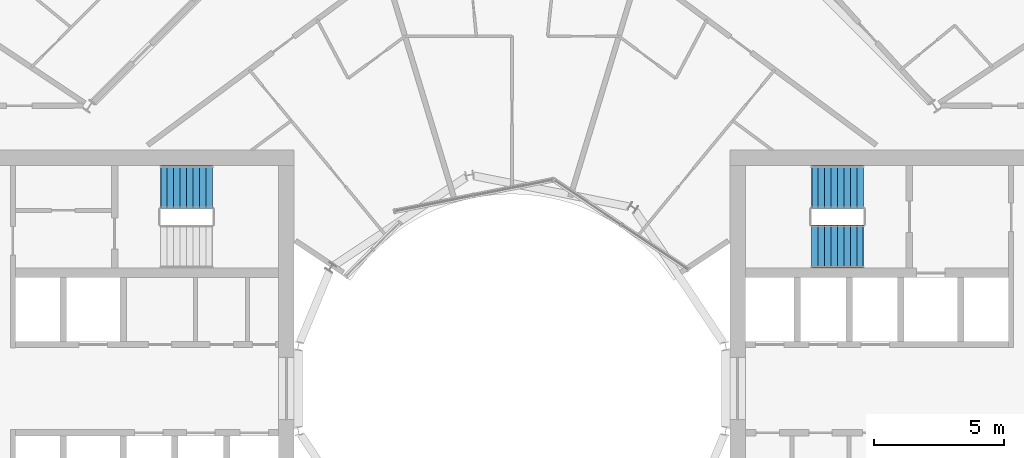
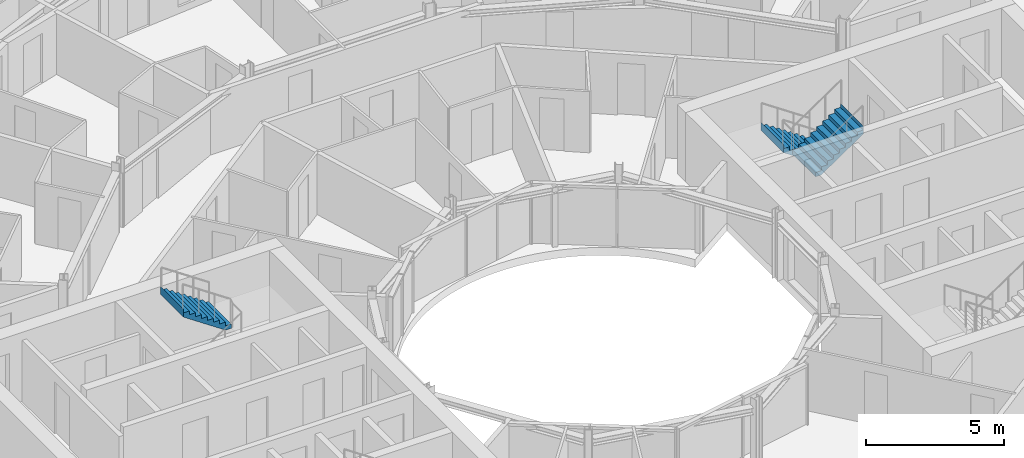
# One storey, part 25 of 27: 3 stair flights, 2 elements without a shape of their own.
"""IFC4 building model written with IfcOpenShell, lengths in metres."""

from ifc_helpers import new_model, si_unit, direction, frame, origin, place, context, subcontext, project, spatial, triangles, material, type_object, element, aggregate, save


model = new_model("IFC4")

# Units and contexts
model_context = context("Model", 3, precision=1e-05, world=origin(), true_north=direction((0.0, 1.0)))
body_context = subcontext(model_context, "Body", "Model", "MODEL_VIEW")
ifc_project = project(units=[si_unit("LENGTHUNIT", "METRE"), si_unit("AREAUNIT", "SQUARE_METRE"), si_unit("VOLUMEUNIT", "CUBIC_METRE"), si_unit("PLANEANGLEUNIT", "RADIAN"), si_unit("MASSUNIT", "GRAM", prefix="KILO")], contexts=[model_context])

# Site, building, storey
site_placement = place(None, origin())
site = spatial("IfcSite", under=ifc_project, at=site_placement, CompositionType="ELEMENT")
building_placement = place(site_placement, origin())
building = spatial("IfcBuilding", under=site, at=building_placement, Name="Maasbend Ring Residences", CompositionType="ELEMENT")
storey_placement = place(building_placement, frame((0.0, 0.0, 117.75)))
storey = spatial("IfcBuildingStorey", under=building, at=storey_placement, Name="L33", CompositionType="ELEMENT", Elevation=117.75)

# Stair, stair flights
ifc_material_1 = material(Name="Concrete C40/50", Category="concrete")
stair_type = type_object("IfcStairType", Name="CORE STAIR 18 RISERS", PredefinedType="HALF_TURN_STAIR", material=ifc_material_1)
stair_1_placement = place(storey_placement, origin())
stair_1 = element("IfcStair", 1, at=stair_1_placement, inside=storey, type_object=stair_type, Name="L33 Exit stair ST-E1", PredefinedType="HALF_TURN_STAIR")
ifc_material_2 = material(Name="Concrete C40/50", Category="concrete")
stair_flight_type = type_object("IfcStairFlightType", Name="CORE STAIR FLIGHT 1650", PredefinedType="STRAIGHT", material=ifc_material_2)
stair_flight_1_placement = place(storey_placement, frame((13.550048828125, 7.77490234375, 0.0), z_axis=(0.0, 0.0, 1.0), x_axis=(-1.0, 0.0, 0.0)))
stair_flight_1 = element("IfcStairFlight", 2, at=stair_flight_1_placement, type_object=stair_flight_type, Name="ST-E1 flight 1", NumberOfRisers=9, NumberOfTreads=8, PredefinedType="STRAIGHT", RiserHeight=0.169444444, TreadLength=0.25, context=body_context, shape_type="Tessellation", body=[
    triangles([(0.24072265625, 0.824951171875, -0.02001953125), (2.0029296875, 0.824951171875, 1.174560546875), (2.0029296875, 0.824951171875, 1.52490234375), (1.989990234375, 0.824951171875, 1.35546875), (1.75, 0.824951171875, 1.35546875), (1.75, 0.824951171875, 1.18603515625), (1.5, 0.824951171875, 1.18603515625), (1.5, 0.824951171875, 1.0166015625), (1.25, 0.824951171875, 1.0166015625), (1.25, 0.824951171875, 0.84716796875), (1.0, 0.824951171875, 0.84716796875), (1.0, 0.824951171875, 0.677734375), (0.75, 0.824951171875, 0.677734375), (0.75, 0.824951171875, 0.50830078125), (0.5, 0.824951171875, 0.50830078125), (0.5, 0.824951171875, 0.3388671875), (0.25, 0.824951171875, 0.3388671875), (0.25, 0.824951171875, 0.16943359375), (0.0, 0.824951171875, 0.16943359375), (0.0, 0.824951171875, 0.0), (-0.0029296875, 0.824951171875, 0.0), (-0.0029296875, 0.824951171875, -0.02001953125), (0.24072265625, 0.27490234375, -0.02001953125), (2.0029296875, 0.27490234375, 1.174560546875), (2.0029296875, 0.27490234375, 1.52490234375), (1.989990234375, 0.27490234375, 1.35546875), (1.75, 0.27490234375, 1.35546875), (1.75, 0.27490234375, 1.18603515625), (1.5, 0.27490234375, 1.18603515625), (1.5, 0.27490234375, 1.0166015625), (1.25, 0.27490234375, 1.0166015625), (1.25, 0.27490234375, 0.84716796875), (1.0, 0.27490234375, 0.84716796875), (1.0, 0.27490234375, 0.677734375), (0.75, 0.27490234375, 0.677734375), (0.75, 0.27490234375, 0.50830078125), (0.5, 0.27490234375, 0.50830078125), (0.5, 0.27490234375, 0.3388671875), (0.25, 0.27490234375, 0.3388671875), (0.25, 0.27490234375, 0.16943359375), (0.0, 0.27490234375, 0.16943359375), (0.0, 0.27490234375, 0.0), (-0.0029296875, 0.27490234375, 0.0), (-0.0029296875, 0.27490234375, -0.02001953125), (0.24072265625, -0.27490234375, -0.02001953125), (2.0029296875, -0.27490234375, 1.174560546875), (2.0029296875, -0.27490234375, 1.52490234375), (1.989990234375, -0.27490234375, 1.35546875), (1.75, -0.27490234375, 1.35546875), (1.75, -0.27490234375, 1.18603515625), (1.5, -0.27490234375, 1.18603515625), (1.5, -0.27490234375, 1.0166015625), (1.25, -0.27490234375, 1.0166015625), (1.25, -0.27490234375, 0.84716796875), (1.0, -0.27490234375, 0.84716796875), (1.0, -0.27490234375, 0.677734375), (0.75, -0.27490234375, 0.677734375), (0.75, -0.27490234375, 0.50830078125), (0.5, -0.27490234375, 0.50830078125), (0.5, -0.27490234375, 0.3388671875), (0.25, -0.27490234375, 0.3388671875), (0.25, -0.27490234375, 0.16943359375), (0.0, -0.27490234375, 0.16943359375), (0.0, -0.27490234375, 0.0), (-0.0029296875, -0.27490234375, 0.0), (-0.0029296875, -0.27490234375, -0.02001953125), (0.24072265625, -0.824951171875, -0.02001953125), (2.0029296875, -0.824951171875, 1.174560546875), (2.0029296875, -0.824951171875, 1.52490234375), (1.989990234375, -0.824951171875, 1.35546875), (1.75, -0.824951171875, 1.35546875), (1.75, -0.824951171875, 1.18603515625), (1.5, -0.824951171875, 1.18603515625), (1.5, -0.824951171875, 1.0166015625), (1.25, -0.824951171875, 1.0166015625), (1.25, -0.824951171875, 0.84716796875), (1.0, -0.824951171875, 0.84716796875), (1.0, -0.824951171875, 0.677734375), (0.75, -0.824951171875, 0.677734375), (0.75, -0.824951171875, 0.50830078125), (0.5, -0.824951171875, 0.50830078125), (0.5, -0.824951171875, 0.3388671875), (0.25, -0.824951171875, 0.3388671875), (0.25, -0.824951171875, 0.16943359375), (0.0, -0.824951171875, 0.16943359375), (0.0, -0.824951171875, 0.0), (-0.0029296875, -0.824951171875, 0.0), (-0.0029296875, -0.824951171875, -0.02001953125)], [[1, 2, 24], [1, 24, 23], [23, 24, 46], [23, 46, 45], [45, 46, 68], [45, 68, 67], [2, 3, 25], [2, 25, 24], [24, 25, 47], [24, 47, 46], [46, 47, 69], [46, 69, 68], [3, 4, 26], [3, 26, 25], [25, 26, 48], [25, 48, 47], [47, 48, 70], [47, 70, 69], [4, 5, 27], [4, 27, 26], [26, 27, 49], [26, 49, 48], [48, 49, 71], [48, 71, 70], [5, 6, 28], [5, 28, 27], [27, 28, 50], [27, 50, 49], [49, 50, 72], [49, 72, 71], [6, 7, 29], [6, 29, 28], [28, 29, 51], [28, 51, 50], [50, 51, 73], [50, 73, 72], [7, 8, 30], [7, 30, 29], [29, 30, 52], [29, 52, 51], [51, 52, 74], [51, 74, 73], [8, 9, 31], [8, 31, 30], [30, 31, 53], [30, 53, 52], [52, 53, 75], [52, 75, 74], [9, 10, 32], [9, 32, 31], [31, 32, 54], [31, 54, 53], [53, 54, 76], [53, 76, 75], [10, 11, 33], [10, 33, 32], [32, 33, 55], [32, 55, 54], [54, 55, 77], [54, 77, 76], [11, 12, 34], [11, 34, 33], [33, 34, 56], [33, 56, 55], [55, 56, 78], [55, 78, 77], [12, 13, 35], [12, 35, 34], [34, 35, 57], [34, 57, 56], [56, 57, 79], [56, 79, 78], [13, 14, 36], [13, 36, 35], [35, 36, 58], [35, 58, 57], [57, 58, 80], [57, 80, 79], [14, 15, 37], [14, 37, 36], [36, 37, 59], [36, 59, 58], [58, 59, 81], [58, 81, 80], [15, 16, 38], [15, 38, 37], [37, 38, 60], [37, 60, 59], [59, 60, 82], [59, 82, 81], [16, 17, 39], [16, 39, 38], [38, 39, 61], [38, 61, 60], [60, 61, 83], [60, 83, 82], [17, 18, 40], [17, 40, 39], [39, 40, 62], [39, 62, 61], [61, 62, 84], [61, 84, 83], [18, 19, 41], [18, 41, 40], [40, 41, 63], [40, 63, 62], [62, 63, 85], [62, 85, 84], [19, 20, 42], [19, 42, 41], [41, 42, 64], [41, 64, 63], [63, 64, 86], [63, 86, 85], [20, 21, 43], [20, 43, 42], [42, 43, 65], [42, 65, 64], [64, 65, 87], [64, 87, 86], [21, 22, 44], [21, 44, 43], [43, 44, 66], [43, 66, 65], [65, 66, 88], [65, 88, 87], [22, 1, 23], [22, 23, 44], [44, 23, 45], [44, 45, 66], [66, 45, 67], [66, 67, 88], [22, 2, 1], [2, 4, 3], [2, 5, 4], [2, 6, 5], [22, 6, 2], [6, 8, 7], [22, 8, 6], [8, 10, 9], [22, 10, 8], [10, 12, 11], [22, 12, 10], [12, 14, 13], [22, 14, 12], [14, 16, 15], [22, 16, 14], [16, 18, 17], [22, 18, 16], [18, 20, 19], [22, 20, 18], [20, 22, 21], [88, 67, 68], [68, 69, 70], [68, 70, 71], [68, 71, 72], [88, 68, 72], [72, 73, 74], [88, 72, 74], [74, 75, 76], [88, 74, 76], [76, 77, 78], [88, 76, 78], [78, 79, 80], [88, 78, 80], [80, 81, 82], [88, 80, 82], [82, 83, 84], [88, 82, 84], [84, 85, 86], [88, 84, 86], [86, 87, 88]], closed=True),
])
stair_flight_2_placement = place(storey_placement, frame((11.550048828125, 5.47509765625, 1.52490234375), z_axis=(0.0, 0.0, 1.0), x_axis=(1.0, 0.0, 0.0)))
stair_flight_2 = element("IfcStairFlight", 3, at=stair_flight_2_placement, type_object=stair_flight_type, Name="ST-E1 flight 2", NumberOfRisers=9, NumberOfTreads=8, PredefinedType="STRAIGHT", RiserHeight=0.169444444, TreadLength=0.25, context=body_context, shape_type="Tessellation", body=[
    triangles([(0.24072265625, 0.824951171875, -0.02001953125), (2.0029296875, 0.824951171875, 1.174560546875), (2.0029296875, 0.824951171875, 1.52490234375), (1.989990234375, 0.824951171875, 1.35546875), (1.75, 0.824951171875, 1.35546875), (1.75, 0.824951171875, 1.18603515625), (1.5, 0.824951171875, 1.18603515625), (1.5, 0.824951171875, 1.0166015625), (1.25, 0.824951171875, 1.0166015625), (1.25, 0.824951171875, 0.84716796875), (1.0, 0.824951171875, 0.84716796875), (1.0, 0.824951171875, 0.677734375), (0.75, 0.824951171875, 0.677734375), (0.75, 0.824951171875, 0.50830078125), (0.5, 0.824951171875, 0.50830078125), (0.5, 0.824951171875, 0.3388671875), (0.25, 0.824951171875, 0.3388671875), (0.25, 0.824951171875, 0.16943359375), (0.0, 0.824951171875, 0.16943359375), (0.0, 0.824951171875, 0.0), (-0.0029296875, 0.824951171875, 0.0), (-0.0029296875, 0.824951171875, -0.02001953125), (0.24072265625, 0.27490234375, -0.02001953125), (2.0029296875, 0.27490234375, 1.174560546875), (2.0029296875, 0.27490234375, 1.52490234375), (1.989990234375, 0.27490234375, 1.35546875), (1.75, 0.27490234375, 1.35546875), (1.75, 0.27490234375, 1.18603515625), (1.5, 0.27490234375, 1.18603515625), (1.5, 0.27490234375, 1.0166015625), (1.25, 0.27490234375, 1.0166015625), (1.25, 0.27490234375, 0.84716796875), (1.0, 0.27490234375, 0.84716796875), (1.0, 0.27490234375, 0.677734375), (0.75, 0.27490234375, 0.677734375), (0.75, 0.27490234375, 0.50830078125), (0.5, 0.27490234375, 0.50830078125), (0.5, 0.27490234375, 0.3388671875), (0.25, 0.27490234375, 0.3388671875), (0.25, 0.27490234375, 0.16943359375), (0.0, 0.27490234375, 0.16943359375), (0.0, 0.27490234375, 0.0), (-0.0029296875, 0.27490234375, 0.0), (-0.0029296875, 0.27490234375, -0.02001953125), (0.24072265625, -0.27490234375, -0.02001953125), (2.0029296875, -0.27490234375, 1.174560546875), (2.0029296875, -0.27490234375, 1.52490234375), (1.989990234375, -0.27490234375, 1.35546875), (1.75, -0.27490234375, 1.35546875), (1.75, -0.27490234375, 1.18603515625), (1.5, -0.27490234375, 1.18603515625), (1.5, -0.27490234375, 1.0166015625), (1.25, -0.27490234375, 1.0166015625), (1.25, -0.27490234375, 0.84716796875), (1.0, -0.27490234375, 0.84716796875), (1.0, -0.27490234375, 0.677734375), (0.75, -0.27490234375, 0.677734375), (0.75, -0.27490234375, 0.50830078125), (0.5, -0.27490234375, 0.50830078125), (0.5, -0.27490234375, 0.3388671875), (0.25, -0.27490234375, 0.3388671875), (0.25, -0.27490234375, 0.16943359375), (0.0, -0.27490234375, 0.16943359375), (0.0, -0.27490234375, 0.0), (-0.0029296875, -0.27490234375, 0.0), (-0.0029296875, -0.27490234375, -0.02001953125), (0.24072265625, -0.824951171875, -0.02001953125), (2.0029296875, -0.824951171875, 1.174560546875), (2.0029296875, -0.824951171875, 1.52490234375), (1.989990234375, -0.824951171875, 1.35546875), (1.75, -0.824951171875, 1.35546875), (1.75, -0.824951171875, 1.18603515625), (1.5, -0.824951171875, 1.18603515625), (1.5, -0.824951171875, 1.0166015625), (1.25, -0.824951171875, 1.0166015625), (1.25, -0.824951171875, 0.84716796875), (1.0, -0.824951171875, 0.84716796875), (1.0, -0.824951171875, 0.677734375), (0.75, -0.824951171875, 0.677734375), (0.75, -0.824951171875, 0.50830078125), (0.5, -0.824951171875, 0.50830078125), (0.5, -0.824951171875, 0.3388671875), (0.25, -0.824951171875, 0.3388671875), (0.25, -0.824951171875, 0.16943359375), (0.0, -0.824951171875, 0.16943359375), (0.0, -0.824951171875, 0.0), (-0.0029296875, -0.824951171875, 0.0), (-0.0029296875, -0.824951171875, -0.02001953125)], [[1, 2, 24], [1, 24, 23], [23, 24, 46], [23, 46, 45], [45, 46, 68], [45, 68, 67], [2, 3, 25], [2, 25, 24], [24, 25, 47], [24, 47, 46], [46, 47, 69], [46, 69, 68], [3, 4, 26], [3, 26, 25], [25, 26, 48], [25, 48, 47], [47, 48, 70], [47, 70, 69], [4, 5, 27], [4, 27, 26], [26, 27, 49], [26, 49, 48], [48, 49, 71], [48, 71, 70], [5, 6, 28], [5, 28, 27], [27, 28, 50], [27, 50, 49], [49, 50, 72], [49, 72, 71], [6, 7, 29], [6, 29, 28], [28, 29, 51], [28, 51, 50], [50, 51, 73], [50, 73, 72], [7, 8, 30], [7, 30, 29], [29, 30, 52], [29, 52, 51], [51, 52, 74], [51, 74, 73], [8, 9, 31], [8, 31, 30], [30, 31, 53], [30, 53, 52], [52, 53, 75], [52, 75, 74], [9, 10, 32], [9, 32, 31], [31, 32, 54], [31, 54, 53], [53, 54, 76], [53, 76, 75], [10, 11, 33], [10, 33, 32], [32, 33, 55], [32, 55, 54], [54, 55, 77], [54, 77, 76], [11, 12, 34], [11, 34, 33], [33, 34, 56], [33, 56, 55], [55, 56, 78], [55, 78, 77], [12, 13, 35], [12, 35, 34], [34, 35, 57], [34, 57, 56], [56, 57, 79], [56, 79, 78], [13, 14, 36], [13, 36, 35], [35, 36, 58], [35, 58, 57], [57, 58, 80], [57, 80, 79], [14, 15, 37], [14, 37, 36], [36, 37, 59], [36, 59, 58], [58, 59, 81], [58, 81, 80], [15, 16, 38], [15, 38, 37], [37, 38, 60], [37, 60, 59], [59, 60, 82], [59, 82, 81], [16, 17, 39], [16, 39, 38], [38, 39, 61], [38, 61, 60], [60, 61, 83], [60, 83, 82], [17, 18, 40], [17, 40, 39], [39, 40, 62], [39, 62, 61], [61, 62, 84], [61, 84, 83], [18, 19, 41], [18, 41, 40], [40, 41, 63], [40, 63, 62], [62, 63, 85], [62, 85, 84], [19, 20, 42], [19, 42, 41], [41, 42, 64], [41, 64, 63], [63, 64, 86], [63, 86, 85], [20, 21, 43], [20, 43, 42], [42, 43, 65], [42, 65, 64], [64, 65, 87], [64, 87, 86], [21, 22, 44], [21, 44, 43], [43, 44, 66], [43, 66, 65], [65, 66, 88], [65, 88, 87], [22, 1, 23], [22, 23, 44], [44, 23, 45], [44, 45, 66], [66, 45, 67], [66, 67, 88], [22, 2, 1], [2, 4, 3], [2, 5, 4], [2, 6, 5], [22, 6, 2], [6, 8, 7], [22, 8, 6], [8, 10, 9], [22, 10, 8], [10, 12, 11], [22, 12, 10], [12, 14, 13], [22, 14, 12], [14, 16, 15], [22, 16, 14], [16, 18, 17], [22, 18, 16], [18, 20, 19], [22, 20, 18], [20, 22, 21], [88, 67, 68], [68, 69, 70], [68, 70, 71], [68, 71, 72], [88, 68, 72], [72, 73, 74], [88, 72, 74], [74, 75, 76], [88, 74, 76], [76, 77, 78], [88, 76, 78], [78, 79, 80], [88, 78, 80], [80, 81, 82], [88, 80, 82], [82, 83, 84], [88, 82, 84], [84, 85, 86], [88, 84, 86], [86, 87, 88]], closed=True),
])
aggregate(stair_1, [stair_flight_1, stair_flight_2])

# Stair, stair flight
stair_2_placement = place(storey_placement, origin())
stair_2 = element("IfcStair", 4, at=stair_2_placement, inside=storey, type_object=stair_type, Name="L33 Exit stair ST-W2", PredefinedType="HALF_TURN_STAIR")
stair_flight_3_placement = place(storey_placement, frame((-11.550048828125, 7.77490234375, 1.52490234375), z_axis=(0.0, 0.0, 1.0), x_axis=(-1.0, 0.0, 0.0)))
stair_flight_3 = element("IfcStairFlight", 5, at=stair_flight_3_placement, type_object=stair_flight_type, Name="ST-W2 flight 2", NumberOfRisers=9, NumberOfTreads=8, PredefinedType="STRAIGHT", RiserHeight=0.169444444, TreadLength=0.25, context=body_context, shape_type="Tessellation", body=[
    triangles([(0.24072265625, 0.824951171875, -0.02001953125), (2.0029296875, 0.824951171875, 1.174560546875), (2.0029296875, 0.824951171875, 1.52490234375), (1.989990234375, 0.824951171875, 1.35546875), (1.75, 0.824951171875, 1.35546875), (1.75, 0.824951171875, 1.18603515625), (1.5, 0.824951171875, 1.18603515625), (1.5, 0.824951171875, 1.0166015625), (1.25, 0.824951171875, 1.0166015625), (1.25, 0.824951171875, 0.84716796875), (1.0, 0.824951171875, 0.84716796875), (1.0, 0.824951171875, 0.677734375), (0.75, 0.824951171875, 0.677734375), (0.75, 0.824951171875, 0.50830078125), (0.5, 0.824951171875, 0.50830078125), (0.5, 0.824951171875, 0.3388671875), (0.25, 0.824951171875, 0.3388671875), (0.25, 0.824951171875, 0.16943359375), (0.0, 0.824951171875, 0.16943359375), (0.0, 0.824951171875, 0.0), (-0.0029296875, 0.824951171875, 0.0), (-0.0029296875, 0.824951171875, -0.02001953125), (0.24072265625, 0.27490234375, -0.02001953125), (2.0029296875, 0.27490234375, 1.174560546875), (2.0029296875, 0.27490234375, 1.52490234375), (1.989990234375, 0.27490234375, 1.35546875), (1.75, 0.27490234375, 1.35546875), (1.75, 0.27490234375, 1.18603515625), (1.5, 0.27490234375, 1.18603515625), (1.5, 0.27490234375, 1.0166015625), (1.25, 0.27490234375, 1.0166015625), (1.25, 0.27490234375, 0.84716796875), (1.0, 0.27490234375, 0.84716796875), (1.0, 0.27490234375, 0.677734375), (0.75, 0.27490234375, 0.677734375), (0.75, 0.27490234375, 0.50830078125), (0.5, 0.27490234375, 0.50830078125), (0.5, 0.27490234375, 0.3388671875), (0.25, 0.27490234375, 0.3388671875), (0.25, 0.27490234375, 0.16943359375), (0.0, 0.27490234375, 0.16943359375), (0.0, 0.27490234375, 0.0), (-0.0029296875, 0.27490234375, 0.0), (-0.0029296875, 0.27490234375, -0.02001953125), (0.24072265625, -0.27490234375, -0.02001953125), (2.0029296875, -0.27490234375, 1.174560546875), (2.0029296875, -0.27490234375, 1.52490234375), (1.989990234375, -0.27490234375, 1.35546875), (1.75, -0.27490234375, 1.35546875), (1.75, -0.27490234375, 1.18603515625), (1.5, -0.27490234375, 1.18603515625), (1.5, -0.27490234375, 1.0166015625), (1.25, -0.27490234375, 1.0166015625), (1.25, -0.27490234375, 0.84716796875), (1.0, -0.27490234375, 0.84716796875), (1.0, -0.27490234375, 0.677734375), (0.75, -0.27490234375, 0.677734375), (0.75, -0.27490234375, 0.50830078125), (0.5, -0.27490234375, 0.50830078125), (0.5, -0.27490234375, 0.3388671875), (0.25, -0.27490234375, 0.3388671875), (0.25, -0.27490234375, 0.16943359375), (0.0, -0.27490234375, 0.16943359375), (0.0, -0.27490234375, 0.0), (-0.0029296875, -0.27490234375, 0.0), (-0.0029296875, -0.27490234375, -0.02001953125), (0.24072265625, -0.824951171875, -0.02001953125), (2.0029296875, -0.824951171875, 1.174560546875), (2.0029296875, -0.824951171875, 1.52490234375), (1.989990234375, -0.824951171875, 1.35546875), (1.75, -0.824951171875, 1.35546875), (1.75, -0.824951171875, 1.18603515625), (1.5, -0.824951171875, 1.18603515625), (1.5, -0.824951171875, 1.0166015625), (1.25, -0.824951171875, 1.0166015625), (1.25, -0.824951171875, 0.84716796875), (1.0, -0.824951171875, 0.84716796875), (1.0, -0.824951171875, 0.677734375), (0.75, -0.824951171875, 0.677734375), (0.75, -0.824951171875, 0.50830078125), (0.5, -0.824951171875, 0.50830078125), (0.5, -0.824951171875, 0.3388671875), (0.25, -0.824951171875, 0.3388671875), (0.25, -0.824951171875, 0.16943359375), (0.0, -0.824951171875, 0.16943359375), (0.0, -0.824951171875, 0.0), (-0.0029296875, -0.824951171875, 0.0), (-0.0029296875, -0.824951171875, -0.02001953125)], [[1, 2, 24], [1, 24, 23], [23, 24, 46], [23, 46, 45], [45, 46, 68], [45, 68, 67], [2, 3, 25], [2, 25, 24], [24, 25, 47], [24, 47, 46], [46, 47, 69], [46, 69, 68], [3, 4, 26], [3, 26, 25], [25, 26, 48], [25, 48, 47], [47, 48, 70], [47, 70, 69], [4, 5, 27], [4, 27, 26], [26, 27, 49], [26, 49, 48], [48, 49, 71], [48, 71, 70], [5, 6, 28], [5, 28, 27], [27, 28, 50], [27, 50, 49], [49, 50, 72], [49, 72, 71], [6, 7, 29], [6, 29, 28], [28, 29, 51], [28, 51, 50], [50, 51, 73], [50, 73, 72], [7, 8, 30], [7, 30, 29], [29, 30, 52], [29, 52, 51], [51, 52, 74], [51, 74, 73], [8, 9, 31], [8, 31, 30], [30, 31, 53], [30, 53, 52], [52, 53, 75], [52, 75, 74], [9, 10, 32], [9, 32, 31], [31, 32, 54], [31, 54, 53], [53, 54, 76], [53, 76, 75], [10, 11, 33], [10, 33, 32], [32, 33, 55], [32, 55, 54], [54, 55, 77], [54, 77, 76], [11, 12, 34], [11, 34, 33], [33, 34, 56], [33, 56, 55], [55, 56, 78], [55, 78, 77], [12, 13, 35], [12, 35, 34], [34, 35, 57], [34, 57, 56], [56, 57, 79], [56, 79, 78], [13, 14, 36], [13, 36, 35], [35, 36, 58], [35, 58, 57], [57, 58, 80], [57, 80, 79], [14, 15, 37], [14, 37, 36], [36, 37, 59], [36, 59, 58], [58, 59, 81], [58, 81, 80], [15, 16, 38], [15, 38, 37], [37, 38, 60], [37, 60, 59], [59, 60, 82], [59, 82, 81], [16, 17, 39], [16, 39, 38], [38, 39, 61], [38, 61, 60], [60, 61, 83], [60, 83, 82], [17, 18, 40], [17, 40, 39], [39, 40, 62], [39, 62, 61], [61, 62, 84], [61, 84, 83], [18, 19, 41], [18, 41, 40], [40, 41, 63], [40, 63, 62], [62, 63, 85], [62, 85, 84], [19, 20, 42], [19, 42, 41], [41, 42, 64], [41, 64, 63], [63, 64, 86], [63, 86, 85], [20, 21, 43], [20, 43, 42], [42, 43, 65], [42, 65, 64], [64, 65, 87], [64, 87, 86], [21, 22, 44], [21, 44, 43], [43, 44, 66], [43, 66, 65], [65, 66, 88], [65, 88, 87], [22, 1, 23], [22, 23, 44], [44, 23, 45], [44, 45, 66], [66, 45, 67], [66, 67, 88], [22, 2, 1], [2, 4, 3], [2, 5, 4], [2, 6, 5], [22, 6, 2], [6, 8, 7], [22, 8, 6], [8, 10, 9], [22, 10, 8], [10, 12, 11], [22, 12, 10], [12, 14, 13], [22, 14, 12], [14, 16, 15], [22, 16, 14], [16, 18, 17], [22, 18, 16], [18, 20, 19], [22, 20, 18], [20, 22, 21], [88, 67, 68], [68, 69, 70], [68, 70, 71], [68, 71, 72], [88, 68, 72], [72, 73, 74], [88, 72, 74], [74, 75, 76], [88, 74, 76], [76, 77, 78], [88, 76, 78], [78, 79, 80], [88, 78, 80], [80, 81, 82], [88, 80, 82], [82, 83, 84], [88, 82, 84], [84, 85, 86], [88, 84, 86], [86, 87, 88]], closed=True),
])
aggregate(stair_2, [stair_flight_3])

save(model, "model.ifc")
